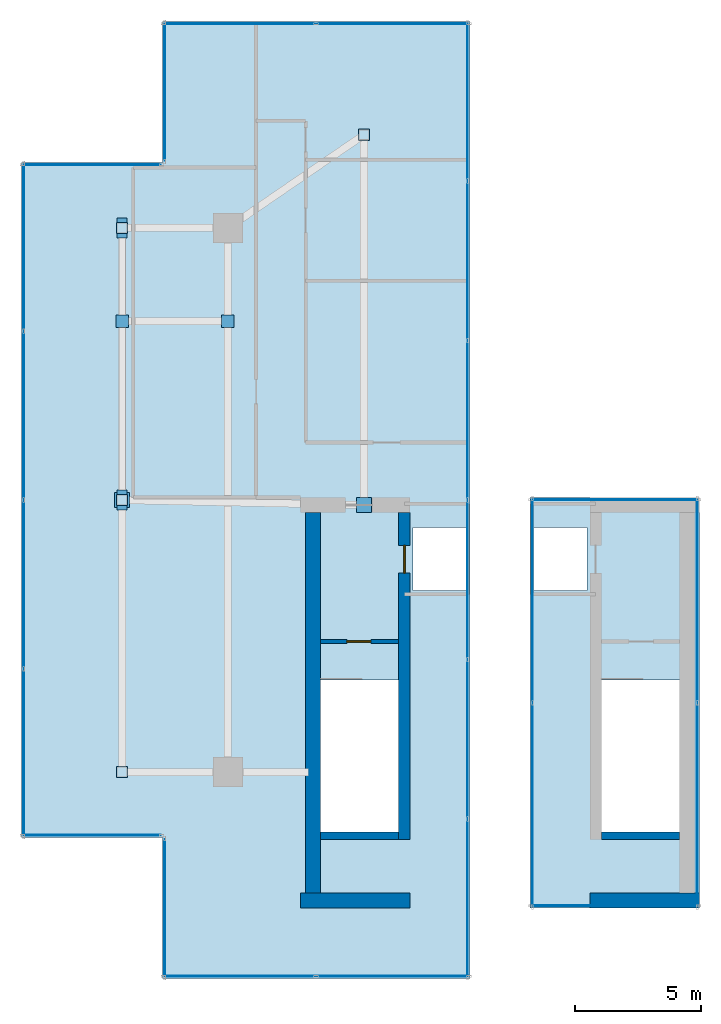
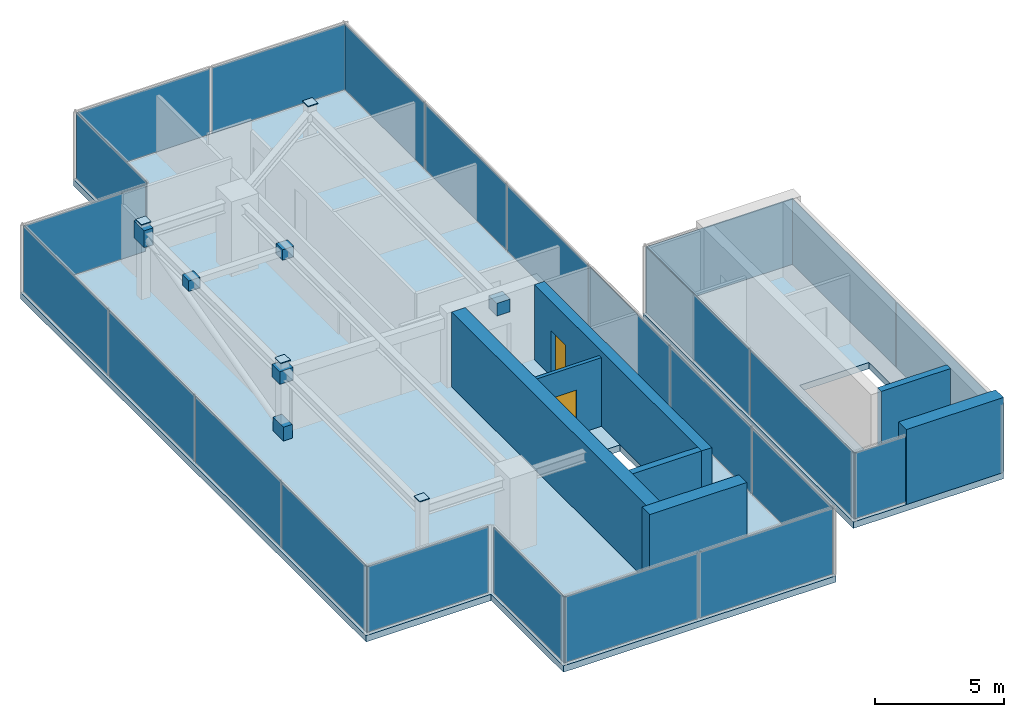
# One storey, part 14 of 16: 34 plates, 7 walls, 2 doors, 2 slabs, 2 openings, 12 elements without a shape of their own.
"""IFC4 building model written with IfcOpenShell, lengths in metres."""

import ifcopenshell
import ifcopenshell.guid

model = None  # the IFC model being written
_history = None  # IfcOwnerHistory: only IFC2X3 demands one
_inside = {}  # id of a spatial element -> (the spatial element, [elements in it])
_under = {}  # id of a project, library or spatial element -> (it, [spatial elements below it])
_declared = {}  # id of a project -> (the project, [libraries it declares])
_typed = {}  # id of a type object -> (the type object, [elements of that type])
_made_of = {}  # id of a material, layer set ... -> (it, [elements and type objects made of it])


def new_model(schema):
    """Start an empty IFC model of exactly this schema.

    Asked for "IFC4X3", IfcOpenShell would pick the latest addendum, in which some entities
    have other attributes; the version numbers below select the first issue.
    IFC2X3 requires an IfcOwnerHistory on every rooted entity: one is made here for all.
    """
    global model, _history
    if schema == "IFC4X3":
        model = ifcopenshell.file(schema_version=(4, 3, 0, 0))
    else:
        model = ifcopenshell.file(schema=schema)
    _inside.clear()
    _under.clear()
    _declared.clear()
    _typed.clear()
    _made_of.clear()
    _history = None
    if model.schema == "IFC2X3":
        org = make("IfcOrganization", Name="unknown")
        user = make(
            "IfcPersonAndOrganization",
            ThePerson=make("IfcPerson", FamilyName="unknown"),
            TheOrganization=org,
        )
        app = make(
            "IfcApplication",
            ApplicationDeveloper=org,
            Version="unknown",
            ApplicationFullName="unknown",
            ApplicationIdentifier="unknown",
        )
        _history = make(
            "IfcOwnerHistory",
            OwningUser=user,
            OwningApplication=app,
            ChangeAction="ADDED",
            CreationDate=0,
        )
    return model


def make(cls, **values):
    """One entity of the class cls with the attributes given. An attribute that is None is left unset."""
    return model.create_entity(
        cls, **{name: value for name, value in values.items() if value is not None}
    )


def rooted(cls, **values):
    """An entity with a GlobalId (a new one), such as an element, a storey or a relation."""
    return make(cls, GlobalId=ifcopenshell.guid.new(), OwnerHistory=_history, **values)


def si_unit(unit_type, name, prefix=None):
    """IfcSIUnit, for example si_unit("LENGTHUNIT", "METRE", prefix="MILLI")."""
    return make("IfcSIUnit", UnitType=unit_type, Prefix=prefix, Name=name)


def assignment(units):
    """IfcUnitAssignment: the units of a project."""
    return None if units is None else make("IfcUnitAssignment", Units=units)


def point(xyz):
    """IfcCartesianPoint."""
    return None if xyz is None else make("IfcCartesianPoint", Coordinates=xyz)


def direction(xyz):
    """IfcDirection."""
    return None if xyz is None else make("IfcDirection", DirectionRatios=xyz)


def frame(location, z_axis=None, x_axis=None):
    """IfcAxis2Placement3D, a coordinate frame: its origin and axes. An axis left out is left unset."""
    return make(
        "IfcAxis2Placement3D",
        Location=point(location),
        Axis=direction(z_axis),
        RefDirection=direction(x_axis),
    )


def frame_2d(location, x_axis=None):
    """IfcAxis2Placement2D, a coordinate frame in the plane: its origin and x axis."""
    return make(
        "IfcAxis2Placement2D", Location=point(location), RefDirection=direction(x_axis)
    )


def origin():
    """The frame at (0, 0, 0) with its axes left unset."""
    return frame((0.0, 0.0, 0.0))


def origin_2d():
    """The frame at (0, 0) in the plane with its x axis left unset."""
    return frame_2d((0.0, 0.0))


def place(relative_to, where):
    """IfcLocalPlacement: puts the frame where relative to a parent placement (None: the world)."""
    return make(
        "IfcLocalPlacement", PlacementRelTo=relative_to, RelativePlacement=where
    )


def context(
    kind, dimensions, precision=None, world=None, true_north=None, identifier=None
):
    """IfcGeometricRepresentationContext, for example the 3D "Model" context."""
    return make(
        "IfcGeometricRepresentationContext",
        ContextIdentifier=identifier,
        ContextType=kind,
        CoordinateSpaceDimension=dimensions,
        Precision=precision,
        WorldCoordinateSystem=world,
        TrueNorth=true_north,
    )


def subcontext(parent, identifier, kind, view, scale=None):
    """IfcGeometricRepresentationSubContext, for example "Body" below "Model"."""
    return make(
        "IfcGeometricRepresentationSubContext",
        ContextIdentifier=identifier,
        ContextType=kind,
        ParentContext=parent,
        TargetScale=scale,
        TargetView=view,
    )


def project(units=None, contexts=None):
    """IfcProject with its units and contexts."""
    return rooted(
        "IfcProject",
        Name="project",
        RepresentationContexts=contexts,
        UnitsInContext=assignment(units),
    )


def spatial(cls, under=None, at=None, **own):
    """A site, building, storey or space (cls), placed at a placement, below another one or the project."""
    s = rooted(cls, ObjectPlacement=at, **own)
    if under is not None:
        _under.setdefault(under.id(), (under, []))[1].append(s)
    return s


def polyline(points):
    """IfcPolyline through the points."""
    return make("IfcPolyline", Points=[point(p) for p in points])


def profile(cls, at=None, kind="AREA", **sizes):
    """A parametric profile (cls). Its sizes go by their IFC names, for example OverallWidth=200.0."""
    return make(cls, ProfileType=kind, Position=at, **sizes)


def rectangle(**sizes):
    """IfcRectangleProfileDef."""
    return profile("IfcRectangleProfileDef", **sizes)


def outline(outer, holes=None, kind="AREA"):
    """IfcArbitraryClosedProfileDef: a profile drawn as a closed curve; with holes, ...WithVoids."""
    if holes is None:
        return make("IfcArbitraryClosedProfileDef", ProfileType=kind, OuterCurve=outer)
    return make(
        "IfcArbitraryProfileDefWithVoids",
        ProfileType=kind,
        OuterCurve=outer,
        InnerCurves=holes,
    )


def extrude(swept, where, along, depth):
    """IfcExtrudedAreaSolid: the profile swept, set in the frame where, extruded along a direction by depth."""
    return make(
        "IfcExtrudedAreaSolid",
        SweptArea=swept,
        Position=where,
        ExtrudedDirection=direction(along),
        Depth=depth,
    )


def shape(context_of_items, identifier, shape_type, items):
    """IfcShapeRepresentation: the items that make up one representation, for example the "Body"."""
    return make(
        "IfcShapeRepresentation",
        ContextOfItems=context_of_items,
        RepresentationIdentifier=identifier,
        RepresentationType=shape_type,
        Items=items,
    )


def source(mapping_origin, context_of_items, identifier, shape_type, items):
    """IfcRepresentationMap: a shape defined once, which mapped items show again and again."""
    return make(
        "IfcRepresentationMap",
        MappingOrigin=mapping_origin,
        MappedRepresentation=shape(context_of_items, identifier, shape_type, items),
    )


def transform(
    local_origin,
    x_axis=None,
    y_axis=None,
    z_axis=None,
    scale=None,
    scale2=None,
    scale3=None,
    uniform=True,
):
    """IfcCartesianTransformationOperator3D, or its non-uniform kind. x_axis, y_axis, z_axis: its Axis1, 2, 3."""
    if uniform:
        return make(
            "IfcCartesianTransformationOperator3D",
            Axis1=direction(x_axis),
            Axis2=direction(y_axis),
            LocalOrigin=point(local_origin),
            Scale=scale,
            Axis3=direction(z_axis),
        )
    return make(
        "IfcCartesianTransformationOperator3DnonUniform",
        Axis1=direction(x_axis),
        Axis2=direction(y_axis),
        LocalOrigin=point(local_origin),
        Scale=scale,
        Axis3=direction(z_axis),
        Scale2=scale2,
        Scale3=scale3,
    )


def mapped(mapping_source, mapping_target):
    """IfcMappedItem: shows the shape of a source again, moved by a transform."""
    return make(
        "IfcMappedItem", MappingSource=mapping_source, MappingTarget=mapping_target
    )


def material(Name=None, Category=None):
    """IfcMaterial."""
    return make("IfcMaterial", Name=Name, Category=Category)


def layer(
    of_material, thickness, ventilated=None, Name=None, Category=None, Priority=None
):
    """IfcMaterialLayer: one layer of a wall or slab, of a material (None: an air gap)."""
    return make(
        "IfcMaterialLayer",
        Material=of_material,
        LayerThickness=thickness,
        IsVentilated=ventilated,
        Name=Name,
        Category=Category,
        Priority=Priority,
    )


def layer_set(layers, Name=None):
    """IfcMaterialLayerSet."""
    return make("IfcMaterialLayerSet", MaterialLayers=layers, LayerSetName=Name)


def made_of(thing, what):
    """Note that an element or type object is made of a material, layer set ...; save() writes the relation."""
    if what is not None:
        _made_of.setdefault(what.id(), (what, []))[1].append(thing)
    return thing


def type_object(cls, material=None, **own):
    """A type object (cls), such as IfcWallType, which elements share."""
    return made_of(rooted(cls, **own), material)


def type_shapes(of_type, sources):
    """Give a type object the sources (RepresentationMaps) that its elements show as mapped items."""
    of_type.RepresentationMaps = sources


def element(
    cls,
    number,
    at=None,
    inside=None,
    cuts=None,
    type_object=None,
    material=None,
    context=None,
    identifier="Body",
    shape_type=None,
    held_by="IfcProductDefinitionShape",
    body=None,
    shapes=None,
    **own,
):
    """One element of the class cls, such as IfcWall. Its Tag is "e" and its number.

    at: its placement. inside: the storey or other place that contains it. cuts: it is an
    opening in that element (IfcRelVoidsElement). A single representation is given by context,
    identifier, shape_type and body (its items); several are given by shapes. held_by: the class
    of the entity that holds the representations. save() writes the other relations.
    """
    e = rooted(cls, Tag="e%d" % number, ObjectPlacement=at, **own)
    if body is not None:
        shapes = [shape(context, identifier, shape_type, body)]
    if shapes is not None:
        e.Representation = make(held_by, Representations=shapes)
    if inside is not None:
        _inside.setdefault(inside.id(), (inside, []))[1].append(e)
    if cuts is not None:
        rooted(
            "IfcRelVoidsElement", RelatingBuildingElement=cuts, RelatedOpeningElement=e
        )
    if type_object is not None:
        _typed.setdefault(type_object.id(), (type_object, []))[1].append(e)
    return made_of(e, material)


def fill(opening, filler):
    """IfcRelFillsElement: the door or window that sits in an opening."""
    return rooted(
        "IfcRelFillsElement",
        RelatingOpeningElement=opening,
        RelatedBuildingElement=filler,
    )


def aggregate(whole, parts):
    """IfcRelAggregates: a whole, such as a stair, and the parts it consists of."""
    return rooted("IfcRelAggregates", RelatingObject=whole, RelatedObjects=parts)


def save(model, path):
    """Write the relations noted so far, then the file.

    IfcRelAggregates (storeys below a building ...), IfcRelContainedInSpatialStructure (elements
    in a storey), IfcRelDefinesByType, IfcRelAssociatesMaterial and IfcRelDeclares: one each for
    every whole, place, type object, material and project.
    """
    for whole, parts in _under.values():
        aggregate(whole, parts)
    for where, things in _inside.values():
        rooted(
            "IfcRelContainedInSpatialStructure",
            RelatedElements=things,
            RelatingStructure=where,
        )
    for kind, things in _typed.values():
        rooted("IfcRelDefinesByType", RelatedObjects=things, RelatingType=kind)
    for what, things in _made_of.values():
        rooted("IfcRelAssociatesMaterial", RelatedObjects=things, RelatingMaterial=what)
    for by, libraries in _declared.values():
        rooted("IfcRelDeclares", RelatingContext=by, RelatedDefinitions=libraries)
    model.write(path)


model = new_model("IFC4")

# Units and contexts
model_context = context("Model", 3, precision=1e-05, world=origin(), true_north=direction((0.0, 1.0)))
body_context = subcontext(model_context, "Body", "Model", "MODEL_VIEW")
ifc_project = project(units=[si_unit("LENGTHUNIT", "METRE"), si_unit("AREAUNIT", "SQUARE_METRE"), si_unit("VOLUMEUNIT", "CUBIC_METRE"), si_unit("PLANEANGLEUNIT", "RADIAN"), si_unit("MASSUNIT", "GRAM", prefix="KILO")], contexts=[model_context])

# Site, building, storey
site_placement = place(None, origin())
site = spatial("IfcSite", under=ifc_project, at=site_placement, CompositionType="ELEMENT")
building_placement = place(site_placement, origin())
building = spatial("IfcBuilding", under=site, at=building_placement, Name="Krantzveldt Concourse Tower", CompositionType="ELEMENT")
storey_placement = place(building_placement, frame((0.0, 0.0, 385.449951171875)))
storey = spatial("IfcBuildingStorey", under=building, at=storey_placement, Name="L95", CompositionType="ELEMENT", Elevation=385.449951171875)

# Plates
ifc_material_1 = material(Name="Steel S355J2", Category="steel")
ifc_layer_1 = layer(ifc_material_1, 0.0400390625, Name="Steel S355J2", Category="steel")
ifc_layer_set_1 = layer_set([ifc_layer_1], Name="Steel S355J2 (PL-COLCAP-40)")
plate_type_1 = type_object("IfcPlateType", Name="PL-COLCAP-40", PredefinedType="USERDEFINED", material=ifc_layer_set_1)
plate_1_placement = place(storey_placement, frame((0.0, 0.0, 3.545166015625)))
element("IfcPlate", 1, at=plate_1_placement, inside=storey, type_object=plate_type_1, Name="L95 Column Top Cap Plate W1", ObjectType="END PLATE", PredefinedType="USERDEFINED", context=body_context, shape_type="SweptSolid", body=[
    extrude(outline(polyline([(20.780029296875, 15.679931640625), (21.219970703125, 15.679931640625), (21.219970703125, 16.1201171875), (20.780029296875, 16.1201171875), (20.780029296875, 15.679931640625)])), origin(), (0.0, 0.0, 1.0), 0.039794921875),
])
plate_2_placement = place(storey_placement, frame((0.0, 0.0, 3.545166015625)))
element("IfcPlate", 2, at=plate_2_placement, inside=storey, type_object=plate_type_1, Name="L95 Column Top Cap Plate W2", ObjectType="END PLATE", PredefinedType="USERDEFINED", context=body_context, shape_type="SweptSolid", body=[
    extrude(outline(polyline([(20.780029296875, 26.47998046875), (21.219970703125, 26.47998046875), (21.219970703125, 26.919921875), (20.780029296875, 26.919921875), (20.780029296875, 26.47998046875)])), origin(), (0.0, 0.0, 1.0), 0.039794921875),
])
plate_3_placement = place(storey_placement, frame((0.0, 0.0, 3.545166015625)))
element("IfcPlate", 3, at=plate_3_placement, inside=storey, type_object=plate_type_1, Name="L95 Column Top Cap Plate W3", ObjectType="END PLATE", PredefinedType="USERDEFINED", context=body_context, shape_type="SweptSolid", body=[
    extrude(outline(polyline([(20.780029296875, 37.280029296875), (21.219970703125, 37.280029296875), (21.219970703125, 37.719970703125), (20.780029296875, 37.719970703125), (20.780029296875, 37.280029296875)])), origin(), (0.0, 0.0, 1.0), 0.039794921875),
])
plate_4_placement = place(storey_placement, frame((0.0, 0.0, 3.545166015625)))
element("IfcPlate", 4, at=plate_4_placement, inside=storey, type_object=plate_type_1, Name="L95 Column Top Cap Plate W4", ObjectType="END PLATE", PredefinedType="USERDEFINED", context=body_context, shape_type="SweptSolid", body=[
    extrude(outline(polyline([(30.3798828125, 40.97998046875), (30.820068359375, 40.97998046875), (30.820068359375, 41.419921875), (30.3798828125, 41.419921875), (30.3798828125, 40.97998046875)])), origin(), (0.0, 0.0, 1.0), 0.039794921875),
])

# Slabs
ifc_material_2 = material(Name="Concrete C40/50", Category="concrete")
ifc_layer_2 = layer(ifc_material_2, 0.300048828125, Name="Concrete C40/50", Category="concrete")
ifc_layer_set_2 = layer_set([ifc_layer_2], Name="Concrete C40/50 (SL-SL-CRN300)")
slab_type = type_object("IfcSlabType", Name="SL-SL-CRN300", PredefinedType="FLOOR", material=ifc_layer_set_2)
slab_1_placement = place(storey_placement, frame((0.0, 0.0, -0.300048828125)))
element("IfcSlab", 5, at=slab_1_placement, inside=storey, type_object=slab_type, Name="SL-L95-WEST", PredefinedType="FLOOR", context=body_context, shape_type="SweptSolid", body=[
    extrude(outline(polyline([(22.60009765625, 7.699951171875), (34.800048828125, 7.699951171875), (34.800048828125, 45.699951171875), (22.60009765625, 45.699951171875), (22.60009765625, 40.10009765625), (17.0, 40.10009765625), (17.0, 13.300048828125), (22.60009765625, 13.300048828125), (22.60009765625, 7.699951171875)]), holes=[polyline([(28.8798828125, 19.547607421875), (28.8798828125, 13.52001953125), (31.97998046875, 13.52001953125), (31.97998046875, 19.547607421875), (28.8798828125, 19.547607421875)]), polyline([(32.550048828125, 23.10009765625), (34.64990234375, 23.10009765625), (34.64990234375, 25.60009765625), (32.550048828125, 25.60009765625), (32.550048828125, 23.10009765625)])]), origin(), (0.0, 0.0, 1.0), 0.300048828125),
])
slab_2_placement = place(storey_placement, frame((0.0, 0.0, -0.300048828125)))
element("IfcSlab", 6, at=slab_2_placement, inside=storey, type_object=slab_type, Name="SL-L95-EAST", PredefinedType="FLOOR", context=body_context, shape_type="SweptSolid", body=[
    extrude(outline(polyline([(37.199951171875, 10.5), (43.919921875, 10.5), (43.919921875, 26.800048828125), (37.199951171875, 26.800048828125), (37.199951171875, 10.5)]), holes=[polyline([(40.02001953125, 19.547607421875), (40.02001953125, 13.52001953125), (43.1201171875, 13.52001953125), (43.1201171875, 19.547607421875), (40.02001953125, 19.547607421875)]), polyline([(37.35009765625, 23.10009765625), (39.449951171875, 23.10009765625), (39.449951171875, 25.60009765625), (37.35009765625, 25.60009765625), (37.35009765625, 23.10009765625)])]), origin(), (0.0, 0.0, 1.0), 0.300048828125),
])

# Plates
ifc_layer_3 = layer(ifc_material_1, 0.0400390625, Name="Steel S355J2", Category="steel")
ifc_layer_set_3 = layer_set([ifc_layer_3], Name="Steel S355J2 (PL-GUSSET-40)")
plate_type_2 = type_object("IfcPlateType", Name="PL-GUSSET-40", PredefinedType="USERDEFINED", material=ifc_layer_set_3)
shared_shape_1 = source(origin(), body_context, "Body", "SweptSolid", [
    extrude(rectangle(XDim=0.39990234375, YDim=0.800048828125, at=origin_2d()), origin(), (0.0, 0.0, 1.0), 0.800048828125),
])
type_shapes(plate_type_2, [shared_shape_1])
for number, where, z_axis, x_axis, name in (
    (7, (21.0, 26.699951171875, -0.14990234375), (0.0, 0.0, 1.0), (1.0, 0.0, 0.0), "CBR-L95-WEST-GP1"),
    (8, (21.0, 37.5, 2.60009765625), (0.0, 0.0, 1.0), (1.0, 0.0, 0.0), "CBR-L95-WEST-GP2"),
):
    element("IfcPlate", number, at=place(storey_placement, frame(where, z_axis=z_axis, x_axis=x_axis)), inside=storey, type_object=plate_type_2, Name=name, ObjectType="GUSSET PLATE", PredefinedType="USERDEFINED", context=body_context, shape_type="MappedRepresentation", body=[
        mapped(shared_shape_1, transform((0.0, 0.0, 0.0), x_axis=(1.0, 0.0, 0.0), y_axis=(0.0, 1.0, 0.0), z_axis=(0.0, 0.0, 1.0), scale=1.0)),
    ])
ifc_layer_4 = layer(ifc_material_1, 0.034912109375, Name="Steel S355J2", Category="steel")
ifc_layer_set_4 = layer_set([ifc_layer_4], Name="Steel S355J2 (PL-ENDCAP-35)")
plate_type_3 = type_object("IfcPlateType", Name="PL-ENDCAP-35", PredefinedType="SHEET", material=ifc_layer_set_4)
shared_shape_2 = source(origin(), body_context, "Body", "SweptSolid", [
    extrude(rectangle(XDim=0.60009765625, YDim=0.60009765625, at=origin_2d()), origin(), (0.0, 0.0, 1.0), 0.60009765625),
])
for number, where, z_axis, x_axis, name in (
    (9, (21.0, 26.699951171875, 2.64990234375), (0.0, 0.0, 1.0), (1.0, 0.0, 0.0), "CRF-L95-WEST-EC1"),
    (10, (30.60009765625, 26.5, 2.64990234375), (0.0, 0.0, 1.0), (1.0, 0.0, 0.0), "CRF-L95-WEST-EC2"),
):
    element("IfcPlate", number, at=place(storey_placement, frame(where, z_axis=z_axis, x_axis=x_axis)), inside=storey, type_object=plate_type_3, Name=name, PredefinedType="SHEET", context=body_context, shape_type="MappedRepresentation", body=[
        mapped(shared_shape_2, transform((0.0, 0.0, 0.0), x_axis=(1.0, 0.0, 0.0), y_axis=(0.0, 1.0, 0.0), z_axis=(0.0, 0.0, 1.0), scale=1.0)),
    ])
shared_shape_3 = source(origin(), body_context, "Body", "SweptSolid", [
    extrude(rectangle(XDim=0.5, YDim=0.5, at=origin_2d()), origin(), (0.0, 0.0, 1.0), 0.5),
])
type_shapes(plate_type_3, [shared_shape_2, shared_shape_3])
for number, where, z_axis, x_axis, name in (
    (11, (21.0, 33.800048828125, 2.699951171875), (0.0, 0.0, 1.0), (1.0, 0.0, 0.0), "CPR-L95-WEST-EC1"),
    (12, (25.199951171875, 33.800048828125, 2.699951171875), (0.0, 0.0, 1.0), (1.0, 0.0, 0.0), "CPR-L95-WEST-EC2"),
):
    element("IfcPlate", number, at=place(storey_placement, frame(where, z_axis=z_axis, x_axis=x_axis)), inside=storey, type_object=plate_type_3, Name=name, PredefinedType="SHEET", context=body_context, shape_type="MappedRepresentation", body=[
        mapped(shared_shape_3, transform((0.0, 0.0, 0.0), x_axis=(1.0, 0.0, 0.0), y_axis=(0.0, 1.0, 0.0), z_axis=(0.0, 0.0, 1.0), scale=1.0)),
    ])

# Curtain wall, plates
ifc_material_3 = material(Name="Anodised aluminium 6063-T6", Category="aluminium")
curtain_wall_type = type_object("IfcCurtainWallType", Name="CW7", PredefinedType="USERDEFINED", material=ifc_material_3)
curtain_wall_1_placement = place(storey_placement, origin())
curtain_wall_1 = element("IfcCurtainWall", 13, at=curtain_wall_1_placement, inside=storey, type_object=curtain_wall_type, Name="CW-L95-WEST-00", ObjectType="UNITISED CURTAIN WALL", PredefinedType="USERDEFINED")
ifc_material_4 = material(Name="Bronze-tinted laminated low-E IGU glass", Category="glass")
ifc_layer_5 = layer(ifc_material_4, 0.031982421875, Name="Bronze-tinted laminated low-E IGU glass", Category="glass")
ifc_layer_set_5 = layer_set([ifc_layer_5], Name="Bronze-tinted laminated low-E IGU glass (CW-GLZ-32)")
plate_type_4 = type_object("IfcPlateType", Name="CW-GLZ-32", PredefinedType="CURTAIN_PANEL", material=ifc_layer_set_5)
shared_shape_4 = source(origin(), body_context, "Body", "SweptSolid", [
    extrude(rectangle(XDim=5.9951171875, YDim=0.031982421875, at=origin_2d()), origin(), (0.0, 0.0, 1.0), 3.110107421875),
])
plate_5_placement = place(storey_placement, frame((25.66748046875, 7.7900390625, 0.06982421875), z_axis=(0.0, 0.0, 1.0), x_axis=(1.0, 0.0, 0.0)))
plate_5 = element("IfcPlate", 14, at=plate_5_placement, type_object=plate_type_4, Name="CW-CRN panel 1.1", PredefinedType="CURTAIN_PANEL", context=body_context, shape_type="MappedRepresentation", body=[
    mapped(shared_shape_4, transform((0.0, 0.0, 0.0), x_axis=(1.0, 0.0, 0.0), y_axis=(0.0, 1.0, 0.0), z_axis=(0.0, 0.0, 1.0), scale=1.0)),
])
plate_6_placement = place(storey_placement, frame((31.732421875, 7.7900390625, 0.06982421875), z_axis=(0.0, 0.0, 1.0), x_axis=(1.0, 0.0, 0.0)))
plate_6 = element("IfcPlate", 15, at=plate_6_placement, type_object=plate_type_4, Name="CW-CRN panel 2.1", PredefinedType="CURTAIN_PANEL", context=body_context, shape_type="MappedRepresentation", body=[
    mapped(shared_shape_4, transform((0.0, 0.0, 0.0), x_axis=(1.0, 0.0, 0.0), y_axis=(0.0, 1.0, 0.0), z_axis=(0.0, 0.0, 1.0), scale=1.0)),
])
aggregate(curtain_wall_1, [plate_5, plate_6])

curtain_wall_2_placement = place(storey_placement, origin())
curtain_wall_2 = element("IfcCurtainWall", 16, at=curtain_wall_2_placement, inside=storey, type_object=curtain_wall_type, Name="CW-L95-WEST-02", ObjectType="UNITISED CURTAIN WALL", PredefinedType="USERDEFINED")
plate_7_placement = place(storey_placement, frame((31.732421875, 45.610107421875, 0.06982421875), z_axis=(0.0, 0.0, 1.0), x_axis=(-1.0, 0.0, 0.0)))
plate_7 = element("IfcPlate", 17, at=plate_7_placement, type_object=plate_type_4, Name="CW-CRN panel 1.1", PredefinedType="CURTAIN_PANEL", context=body_context, shape_type="MappedRepresentation", body=[
    mapped(shared_shape_4, transform((0.0, 0.0, 0.0), x_axis=(1.0, 0.0, 0.0), y_axis=(0.0, 1.0, 0.0), z_axis=(0.0, 0.0, 1.0), scale=1.0)),
])
plate_8_placement = place(storey_placement, frame((25.66748046875, 45.610107421875, 0.06982421875), z_axis=(0.0, 0.0, 1.0), x_axis=(-1.0, 0.0, 0.0)))
plate_8 = element("IfcPlate", 18, at=plate_8_placement, type_object=plate_type_4, Name="CW-CRN panel 2.1", PredefinedType="CURTAIN_PANEL", context=body_context, shape_type="MappedRepresentation", body=[
    mapped(shared_shape_4, transform((0.0, 0.0, 0.0), x_axis=(1.0, 0.0, 0.0), y_axis=(0.0, 1.0, 0.0), z_axis=(0.0, 0.0, 1.0), scale=1.0)),
])
aggregate(curtain_wall_2, [plate_7, plate_8])

curtain_wall_3_placement = place(storey_placement, origin())
curtain_wall_3 = element("IfcCurtainWall", 19, at=curtain_wall_3_placement, inside=storey, type_object=curtain_wall_type, Name="CW-L95-WEST-01", ObjectType="UNITISED CURTAIN WALL", PredefinedType="USERDEFINED")
shared_shape_5 = source(origin(), body_context, "Body", "SweptSolid", [
    extrude(rectangle(XDim=6.228271484375, YDim=0.031982421875, at=origin_2d()), origin(), (0.0, 0.0, 1.0), 3.110107421875),
])
plate_9_placement = place(storey_placement, frame((34.7099609375, 10.88427734375, 0.06982421875), z_axis=(0.0, 0.0, 1.0), x_axis=(0.0, 1.0, 0.0)))
plate_9 = element("IfcPlate", 20, at=plate_9_placement, type_object=plate_type_4, Name="CW-CRN panel 1.1", PredefinedType="CURTAIN_PANEL", context=body_context, shape_type="MappedRepresentation", body=[
    mapped(shared_shape_5, transform((0.0, 0.0, 0.0), x_axis=(1.0, 0.0, 0.0), y_axis=(0.0, 1.0, 0.0), z_axis=(0.0, 0.0, 1.0), scale=1.0)),
])
plate_10_placement = place(storey_placement, frame((34.7099609375, 42.515869140625, 0.06982421875), z_axis=(0.0, 0.0, 1.0), x_axis=(0.0, 1.0, 0.0)))
plate_10 = element("IfcPlate", 21, at=plate_10_placement, type_object=plate_type_4, Name="CW-CRN panel 6.1", PredefinedType="CURTAIN_PANEL", context=body_context, shape_type="MappedRepresentation", body=[
    mapped(shared_shape_5, transform((0.0, 0.0, 0.0), x_axis=(1.0, 0.0, 0.0), y_axis=(0.0, 1.0, 0.0), z_axis=(0.0, 0.0, 1.0), scale=1.0)),
])
shared_shape_6 = source(origin(), body_context, "Body", "SweptSolid", [
    extrude(rectangle(XDim=6.263427734375, YDim=0.031982421875, at=origin_2d()), origin(), (0.0, 0.0, 1.0), 3.110107421875),
])
plate_11_placement = place(storey_placement, frame((34.7099609375, 17.199951171875, 0.06982421875), z_axis=(0.0, 0.0, 1.0), x_axis=(0.0, 1.0, 0.0)))
plate_11 = element("IfcPlate", 22, at=plate_11_placement, type_object=plate_type_4, Name="CW-CRN panel 2.1", PredefinedType="CURTAIN_PANEL", context=body_context, shape_type="MappedRepresentation", body=[
    mapped(shared_shape_6, transform((0.0, 0.0, 0.0), x_axis=(1.0, 0.0, 0.0), y_axis=(0.0, 1.0, 0.0), z_axis=(0.0, 0.0, 1.0), scale=1.0)),
])
plate_12_placement = place(storey_placement, frame((34.7099609375, 23.533447265625, 0.06982421875), z_axis=(0.0, 0.0, 1.0), x_axis=(0.0, 1.0, 0.0)))
plate_12 = element("IfcPlate", 23, at=plate_12_placement, type_object=plate_type_4, Name="CW-CRN panel 3.1", PredefinedType="CURTAIN_PANEL", context=body_context, shape_type="MappedRepresentation", body=[
    mapped(shared_shape_6, transform((0.0, 0.0, 0.0), x_axis=(1.0, 0.0, 0.0), y_axis=(0.0, 1.0, 0.0), z_axis=(0.0, 0.0, 1.0), scale=1.0)),
])
plate_13_placement = place(storey_placement, frame((34.7099609375, 29.86669921875, 0.06982421875), z_axis=(0.0, 0.0, 1.0), x_axis=(0.0, 1.0, 0.0)))
plate_13 = element("IfcPlate", 24, at=plate_13_placement, type_object=plate_type_4, Name="CW-CRN panel 4.1", PredefinedType="CURTAIN_PANEL", context=body_context, shape_type="MappedRepresentation", body=[
    mapped(shared_shape_6, transform((0.0, 0.0, 0.0), x_axis=(1.0, 0.0, 0.0), y_axis=(0.0, 1.0, 0.0), z_axis=(0.0, 0.0, 1.0), scale=1.0)),
])
plate_14_placement = place(storey_placement, frame((34.7099609375, 36.199951171875, 0.06982421875), z_axis=(0.0, 0.0, 1.0), x_axis=(0.0, 1.0, 0.0)))
plate_14 = element("IfcPlate", 25, at=plate_14_placement, type_object=plate_type_4, Name="CW-CRN panel 5.1", PredefinedType="CURTAIN_PANEL", context=body_context, shape_type="MappedRepresentation", body=[
    mapped(shared_shape_6, transform((0.0, 0.0, 0.0), x_axis=(1.0, 0.0, 0.0), y_axis=(0.0, 1.0, 0.0), z_axis=(0.0, 0.0, 1.0), scale=1.0)),
])
aggregate(curtain_wall_3, [plate_9, plate_11, plate_12, plate_13, plate_14, plate_10])

# Curtain wall, plate
curtain_wall_4_placement = place(storey_placement, origin())
curtain_wall_4 = element("IfcCurtainWall", 26, at=curtain_wall_4_placement, inside=storey, type_object=curtain_wall_type, Name="CW-L95-WEST-03", ObjectType="UNITISED CURTAIN WALL", PredefinedType="USERDEFINED")
shared_shape_7 = source(origin(), body_context, "Body", "SweptSolid", [
    extrude(rectangle(XDim=5.4599609375, YDim=0.031982421875, at=origin_2d()), origin(), (0.0, 0.0, 1.0), 3.110107421875),
])
plate_15_placement = place(storey_placement, frame((22.68994140625, 42.89990234375, 0.06982421875), z_axis=(0.0, 0.0, 1.0), x_axis=(0.0, -1.0, 0.0)))
plate_15 = element("IfcPlate", 27, at=plate_15_placement, type_object=plate_type_4, Name="CW-CRN panel 1.1", PredefinedType="CURTAIN_PANEL", context=body_context, shape_type="MappedRepresentation", body=[
    mapped(shared_shape_7, transform((0.0, 0.0, 0.0), x_axis=(1.0, 0.0, 0.0), y_axis=(0.0, 1.0, 0.0), z_axis=(0.0, 0.0, 1.0), scale=1.0)),
])
aggregate(curtain_wall_4, [plate_15])

curtain_wall_5_placement = place(storey_placement, origin())
curtain_wall_5 = element("IfcCurtainWall", 28, at=curtain_wall_5_placement, inside=storey, type_object=curtain_wall_type, Name="CW-L95-WEST-04", ObjectType="UNITISED CURTAIN WALL", PredefinedType="USERDEFINED")
plate_16_placement = place(storey_placement, frame((19.800048828125, 40.010009765625, 0.06982421875), z_axis=(0.0, 0.0, 1.0), x_axis=(-1.0, 0.0, 0.0)))
plate_16 = element("IfcPlate", 29, at=plate_16_placement, type_object=plate_type_4, Name="CW-CRN panel 1.1", PredefinedType="CURTAIN_PANEL", context=body_context, shape_type="MappedRepresentation", body=[
    mapped(shared_shape_7, transform((0.0, 0.0, 0.0), x_axis=(1.0, 0.0, 0.0), y_axis=(0.0, 1.0, 0.0), z_axis=(0.0, 0.0, 1.0), scale=1.0)),
])
aggregate(curtain_wall_5, [plate_16])

curtain_wall_6_placement = place(storey_placement, origin())
curtain_wall_6 = element("IfcCurtainWall", 30, at=curtain_wall_6_placement, inside=storey, type_object=curtain_wall_type, Name="CW-L95-WEST-06", ObjectType="UNITISED CURTAIN WALL", PredefinedType="USERDEFINED")
plate_17_placement = place(storey_placement, frame((19.800048828125, 13.389892578125, 0.06982421875), z_axis=(0.0, 0.0, 1.0), x_axis=(1.0, 0.0, 0.0)))
plate_17 = element("IfcPlate", 31, at=plate_17_placement, type_object=plate_type_4, Name="CW-CRN panel 1.1", PredefinedType="CURTAIN_PANEL", context=body_context, shape_type="MappedRepresentation", body=[
    mapped(shared_shape_7, transform((0.0, 0.0, 0.0), x_axis=(1.0, 0.0, 0.0), y_axis=(0.0, 1.0, 0.0), z_axis=(0.0, 0.0, 1.0), scale=1.0)),
])
aggregate(curtain_wall_6, [plate_17])

curtain_wall_7_placement = place(storey_placement, origin())
curtain_wall_7 = element("IfcCurtainWall", 32, at=curtain_wall_7_placement, inside=storey, type_object=curtain_wall_type, Name="CW-L95-WEST-07", ObjectType="UNITISED CURTAIN WALL", PredefinedType="USERDEFINED")
plate_18_placement = place(storey_placement, frame((22.68994140625, 10.5, 0.06982421875), z_axis=(0.0, 0.0, 1.0), x_axis=(0.0, -1.0, 0.0)))
plate_18 = element("IfcPlate", 33, at=plate_18_placement, type_object=plate_type_4, Name="CW-CRN panel 1.1", PredefinedType="CURTAIN_PANEL", context=body_context, shape_type="MappedRepresentation", body=[
    mapped(shared_shape_7, transform((0.0, 0.0, 0.0), x_axis=(1.0, 0.0, 0.0), y_axis=(0.0, 1.0, 0.0), z_axis=(0.0, 0.0, 1.0), scale=1.0)),
])
aggregate(curtain_wall_7, [plate_18])

# Curtain wall, plates
curtain_wall_8_placement = place(storey_placement, origin())
curtain_wall_8 = element("IfcCurtainWall", 34, at=curtain_wall_8_placement, inside=storey, type_object=curtain_wall_type, Name="CW-L95-WEST-05", ObjectType="UNITISED CURTAIN WALL", PredefinedType="USERDEFINED")
shared_shape_8 = source(origin(), body_context, "Body", "SweptSolid", [
    extrude(rectangle(XDim=6.594970703125, YDim=0.031982421875, at=origin_2d()), origin(), (0.0, 0.0, 1.0), 3.110107421875),
])
plate_19_placement = place(storey_placement, frame((17.090087890625, 36.732421875, 0.06982421875), z_axis=(0.0, 0.0, 1.0), x_axis=(0.0, -1.0, 0.0)))
plate_19 = element("IfcPlate", 35, at=plate_19_placement, type_object=plate_type_4, Name="CW-CRN panel 1.1", PredefinedType="CURTAIN_PANEL", context=body_context, shape_type="MappedRepresentation", body=[
    mapped(shared_shape_8, transform((0.0, 0.0, 0.0), x_axis=(1.0, 0.0, 0.0), y_axis=(0.0, 1.0, 0.0), z_axis=(0.0, 0.0, 1.0), scale=1.0)),
])
plate_20_placement = place(storey_placement, frame((17.090087890625, 16.66748046875, 0.06982421875), z_axis=(0.0, 0.0, 1.0), x_axis=(0.0, -1.0, 0.0)))
plate_20 = element("IfcPlate", 36, at=plate_20_placement, type_object=plate_type_4, Name="CW-CRN panel 4.1", PredefinedType="CURTAIN_PANEL", context=body_context, shape_type="MappedRepresentation", body=[
    mapped(shared_shape_8, transform((0.0, 0.0, 0.0), x_axis=(1.0, 0.0, 0.0), y_axis=(0.0, 1.0, 0.0), z_axis=(0.0, 0.0, 1.0), scale=1.0)),
])
shared_shape_9 = source(origin(), body_context, "Body", "SweptSolid", [
    extrude(rectangle(XDim=6.6298828125, YDim=0.031982421875, at=origin_2d()), origin(), (0.0, 0.0, 1.0), 3.110107421875),
])
plate_21_placement = place(storey_placement, frame((17.090087890625, 30.050048828125, 0.06982421875), z_axis=(0.0, 0.0, 1.0), x_axis=(0.0, -1.0, 0.0)))
plate_21 = element("IfcPlate", 37, at=plate_21_placement, type_object=plate_type_4, Name="CW-CRN panel 2.1", PredefinedType="CURTAIN_PANEL", context=body_context, shape_type="MappedRepresentation", body=[
    mapped(shared_shape_9, transform((0.0, 0.0, 0.0), x_axis=(1.0, 0.0, 0.0), y_axis=(0.0, 1.0, 0.0), z_axis=(0.0, 0.0, 1.0), scale=1.0)),
])
plate_22_placement = place(storey_placement, frame((17.090087890625, 23.35009765625, 0.06982421875), z_axis=(0.0, 0.0, 1.0), x_axis=(0.0, -1.0, 0.0)))
plate_22 = element("IfcPlate", 38, at=plate_22_placement, type_object=plate_type_4, Name="CW-CRN panel 3.1", PredefinedType="CURTAIN_PANEL", context=body_context, shape_type="MappedRepresentation", body=[
    mapped(shared_shape_9, transform((0.0, 0.0, 0.0), x_axis=(1.0, 0.0, 0.0), y_axis=(0.0, 1.0, 0.0), z_axis=(0.0, 0.0, 1.0), scale=1.0)),
])
aggregate(curtain_wall_8, [plate_19, plate_21, plate_22, plate_20])

# Curtain wall, plate
curtain_wall_9_placement = place(storey_placement, origin())
curtain_wall_9 = element("IfcCurtainWall", 39, at=curtain_wall_9_placement, inside=storey, type_object=curtain_wall_type, Name="CW-L95-EAST-00", ObjectType="UNITISED CURTAIN WALL", PredefinedType="USERDEFINED")
shared_shape_10 = source(origin(), body_context, "Body", "SweptSolid", [
    extrude(rectangle(XDim=6.580078125, YDim=0.031982421875, at=origin_2d()), origin(), (0.0, 0.0, 1.0), 3.110107421875),
])
plate_23_placement = place(storey_placement, frame((40.56005859375, 10.590087890625, 0.06982421875), z_axis=(0.0, 0.0, 1.0), x_axis=(1.0, 0.0, 0.0)))
plate_23 = element("IfcPlate", 40, at=plate_23_placement, type_object=plate_type_4, Name="CW-CRN panel 1.1", PredefinedType="CURTAIN_PANEL", context=body_context, shape_type="MappedRepresentation", body=[
    mapped(shared_shape_10, transform((0.0, 0.0, 0.0), x_axis=(1.0, 0.0, 0.0), y_axis=(0.0, 1.0, 0.0), z_axis=(0.0, 0.0, 1.0), scale=1.0)),
])
aggregate(curtain_wall_9, [plate_23])

curtain_wall_10_placement = place(storey_placement, origin())
curtain_wall_10 = element("IfcCurtainWall", 41, at=curtain_wall_10_placement, inside=storey, type_object=curtain_wall_type, Name="CW-L95-EAST-02", ObjectType="UNITISED CURTAIN WALL", PredefinedType="USERDEFINED")
plate_24_placement = place(storey_placement, frame((40.56005859375, 26.7099609375, 0.06982421875), z_axis=(0.0, 0.0, 1.0), x_axis=(-1.0, 0.0, 0.0)))
plate_24 = element("IfcPlate", 42, at=plate_24_placement, type_object=plate_type_4, Name="CW-CRN panel 1.1", PredefinedType="CURTAIN_PANEL", context=body_context, shape_type="MappedRepresentation", body=[
    mapped(shared_shape_10, transform((0.0, 0.0, 0.0), x_axis=(1.0, 0.0, 0.0), y_axis=(0.0, 1.0, 0.0), z_axis=(0.0, 0.0, 1.0), scale=1.0)),
])
aggregate(curtain_wall_10, [plate_24])

# Curtain wall, plates
curtain_wall_11_placement = place(storey_placement, origin())
curtain_wall_11 = element("IfcCurtainWall", 43, at=curtain_wall_11_placement, inside=storey, type_object=curtain_wall_type, Name="CW-L95-EAST-01", ObjectType="UNITISED CURTAIN WALL", PredefinedType="USERDEFINED")
shared_shape_11 = source(origin(), body_context, "Body", "SweptSolid", [
    extrude(rectangle(XDim=8.044921875, YDim=0.031982421875, at=origin_2d()), origin(), (0.0, 0.0, 1.0), 3.110107421875),
])
type_shapes(plate_type_4, [shared_shape_4, shared_shape_5, shared_shape_6, shared_shape_7, shared_shape_8, shared_shape_9, shared_shape_10, shared_shape_11])
plate_25_placement = place(storey_placement, frame((43.830078125, 14.592529296875, 0.06982421875), z_axis=(0.0, 0.0, 1.0), x_axis=(0.0, 1.0, 0.0)))
plate_25 = element("IfcPlate", 44, at=plate_25_placement, type_object=plate_type_4, Name="CW-CRN panel 1.1", PredefinedType="CURTAIN_PANEL", context=body_context, shape_type="MappedRepresentation", body=[
    mapped(shared_shape_11, transform((0.0, 0.0, 0.0), x_axis=(1.0, 0.0, 0.0), y_axis=(0.0, 1.0, 0.0), z_axis=(0.0, 0.0, 1.0), scale=1.0)),
])
plate_26_placement = place(storey_placement, frame((43.830078125, 22.70751953125, 0.06982421875), z_axis=(0.0, 0.0, 1.0), x_axis=(0.0, 1.0, 0.0)))
plate_26 = element("IfcPlate", 45, at=plate_26_placement, type_object=plate_type_4, Name="CW-CRN panel 2.1", PredefinedType="CURTAIN_PANEL", context=body_context, shape_type="MappedRepresentation", body=[
    mapped(shared_shape_11, transform((0.0, 0.0, 0.0), x_axis=(1.0, 0.0, 0.0), y_axis=(0.0, 1.0, 0.0), z_axis=(0.0, 0.0, 1.0), scale=1.0)),
])
aggregate(curtain_wall_11, [plate_25, plate_26])

curtain_wall_12_placement = place(storey_placement, origin())
curtain_wall_12 = element("IfcCurtainWall", 46, at=curtain_wall_12_placement, inside=storey, type_object=curtain_wall_type, Name="CW-L95-EAST-03", ObjectType="UNITISED CURTAIN WALL", PredefinedType="USERDEFINED")
plate_27_placement = place(storey_placement, frame((37.2900390625, 22.70751953125, 0.06982421875), z_axis=(0.0, 0.0, 1.0), x_axis=(0.0, -1.0, 0.0)))
plate_27 = element("IfcPlate", 47, at=plate_27_placement, type_object=plate_type_4, Name="CW-CRN panel 1.1", PredefinedType="CURTAIN_PANEL", context=body_context, shape_type="MappedRepresentation", body=[
    mapped(shared_shape_11, transform((0.0, 0.0, 0.0), x_axis=(1.0, 0.0, 0.0), y_axis=(0.0, 1.0, 0.0), z_axis=(0.0, 0.0, 1.0), scale=1.0)),
])
plate_28_placement = place(storey_placement, frame((37.2900390625, 14.592529296875, 0.06982421875), z_axis=(0.0, 0.0, 1.0), x_axis=(0.0, -1.0, 0.0)))
plate_28 = element("IfcPlate", 48, at=plate_28_placement, type_object=plate_type_4, Name="CW-CRN panel 2.1", PredefinedType="CURTAIN_PANEL", context=body_context, shape_type="MappedRepresentation", body=[
    mapped(shared_shape_11, transform((0.0, 0.0, 0.0), x_axis=(1.0, 0.0, 0.0), y_axis=(0.0, 1.0, 0.0), z_axis=(0.0, 0.0, 1.0), scale=1.0)),
])
aggregate(curtain_wall_12, [plate_27, plate_28])

# Wall, opening, door
ifc_material_5 = material(Name="Fire-rated gypsum plasterboard on steel stud", Category="steel")
ifc_layer_6 = layer(ifc_material_5, 0.159912109375, Name="Fire-rated gypsum plasterboard on steel stud", Category="steel")
ifc_layer_set_6 = layer_set([ifc_layer_6], Name="Fire-rated gypsum plasterboard on steel stud (WL-PART-FR160)")
wall_type_1 = type_object("IfcWallType", Name="WL-PART-FR160", PredefinedType="PARTITIONING", material=ifc_layer_set_6)
wall_1_placement = place(storey_placement, frame((28.8798828125, 21.080078125, 0.0), z_axis=(0.0, 0.0, 1.0), x_axis=(1.0, 0.0, 0.0)))
wall_1 = element("IfcWall", 49, at=wall_1_placement, inside=storey, type_object=wall_type_1, Name="WP-L95-ST1", PredefinedType="PARTITIONING", context=body_context, shape_type="SweptSolid", body=[
    extrude(rectangle(XDim=3.10009765625, YDim=0.159912109375, at=frame_2d((1.550048828125, 0.0))), origin(), (0.0, 0.0, 1.0), 3.25),
])
opening_1_placement = place(wall_1_placement, frame((1.044921875, 0.0, 0.0)))
opening_1 = element("IfcOpeningElement", 50, at=opening_1_placement, cuts=wall_1, Name="Opening D-FD095", PredefinedType="OPENING", context=body_context, shape_type="SweptSolid", body=[
    extrude(rectangle(XDim=0.949951171875, YDim=2.10009765625, at=frame_2d((0.47509765625, 1.050048828125))), frame((0.0, 0.08984375, 0.0), z_axis=(0.0, -1.0, 0.0), x_axis=(1.0, 0.0, 0.0)), (0.0, 0.0, 1.0), 0.179931640625),
])
ifc_material_6 = material(Name="Galvanised steel", Category="steel")
door_type_1 = type_object("IfcDoorType", Name="DR-FD120-950", OperationType="SINGLE_SWING_LEFT", PredefinedType="DOOR", material=ifc_material_6)
door_1_placement = place(opening_1_placement, origin())
door_1 = element("IfcDoor", 51, at=door_1_placement, inside=storey, type_object=door_type_1, Name="DR-L95-ST1", OperationType="SINGLE_SWING_RIGHT", OverallHeight=2.10009765625, OverallWidth=0.949951171875, PredefinedType="DOOR", context=body_context, shape_type="SweptSolid", body=[
    extrude(rectangle(XDim=0.949951171875, YDim=2.10009765625, at=frame_2d((0.47509765625, 1.050048828125))), frame((0.0, 0.02490234375, 0.0), z_axis=(0.0, -1.0, 0.0), x_axis=(1.0, 0.0, 0.0)), (0.0, 0.0, 1.0), 0.050048828125),
])
fill(opening_1, door_1)

# Walls
ifc_material_7 = material(Name="Concrete C50/60", Category="concrete")
ifc_layer_7 = layer(ifc_material_7, 0.300048828125, Name="Concrete C50/60", Category="concrete")
ifc_layer_set_7 = layer_set([ifc_layer_7], Name="Concrete C50/60 (WL-SHEAR-300)")
wall_type_2 = type_object("IfcWallType", Name="WL-SHEAR-300", PredefinedType="SHEAR", material=ifc_layer_set_7)
for number, where, z_axis, x_axis, name in (
    (52, (28.8798828125, 13.3701171875, 0.0), (0.0, 0.0, 1.0), (1.0, 0.0, 0.0), "CW-L95-ST1S"),
    (53, (40.02001953125, 13.3701171875, 0.0), (0.0, 0.0, 1.0), (1.0, 0.0, 0.0), "CW-L95-ST2S"),
):
    element("IfcWall", number, at=place(storey_placement, frame(where, z_axis=z_axis, x_axis=x_axis)), inside=storey, type_object=wall_type_2, Name=name, PredefinedType="SHEAR", context=body_context, shape_type="SweptSolid", body=[
        extrude(rectangle(XDim=3.10009765625, YDim=0.300048828125, at=frame_2d((1.550048828125, 0.0))), origin(), (0.0, 0.0, 1.0), 3.550048828125),
    ])

# Wall, opening, door
ifc_layer_8 = layer(ifc_material_7, 0.449951171875, Name="Concrete C50/60", Category="concrete")
ifc_layer_set_8 = layer_set([ifc_layer_8], Name="Concrete C50/60 (WL-SHEAR-450)")
wall_type_3 = type_object("IfcWallType", Name="WL-SHEAR-450", PredefinedType="SHEAR", material=ifc_layer_set_8)
wall_2_placement = place(storey_placement, frame((32.205078125, 13.219970703125, 0.0), z_axis=(0.0, 0.0, 1.0), x_axis=(0.0, 1.0, 0.0)))
wall_2 = element("IfcWall", 54, at=wall_2_placement, inside=storey, type_object=wall_type_3, Name="CW-L95-WC-E", PredefinedType="SHEAR", context=body_context, shape_type="SweptSolid", body=[
    extrude(rectangle(XDim=12.97998046875, YDim=0.449951171875, at=frame_2d((6.489990234375, 0.0))), origin(), (0.0, 0.0, 1.0), 3.550048828125),
])
opening_2_placement = place(wall_2_placement, frame((10.580078125, 0.0, 0.0)))
opening_2 = element("IfcOpeningElement", 55, at=opening_2_placement, cuts=wall_2, Name="Opening LD", PredefinedType="OPENING", context=body_context, shape_type="SweptSolid", body=[
    extrude(rectangle(XDim=1.10009765625, YDim=2.14990234375, at=frame_2d((0.550048828125, 1.074951171875))), frame((0.0, 0.23486328125, 0.0), z_axis=(0.0, -1.0, 0.0), x_axis=(1.0, 0.0, 0.0)), (0.0, 0.0, 1.0), 0.469970703125),
])
ifc_material_8 = material(Name="Stainless steel 316L", Category="steel")
door_type_2 = type_object("IfcDoorType", Name="DR-SLIDE-LD1100", OperationType="DOUBLE_DOOR_SLIDING", PredefinedType="DOOR", material=ifc_material_8)
door_2_placement = place(opening_2_placement, origin())
door_2 = element("IfcDoor", 56, at=door_2_placement, inside=storey, type_object=door_type_2, Name="LD-L95-FL1", OperationType="DOUBLE_DOOR_SLIDING", OverallHeight=2.14990234375, OverallWidth=1.10009765625, PredefinedType="DOOR", context=body_context, shape_type="SweptSolid", body=[
    extrude(rectangle(XDim=1.10009765625, YDim=2.14990234375, at=frame_2d((0.550048828125, 1.074951171875))), frame((0.0, 0.02490234375, 0.0), z_axis=(0.0, -1.0, 0.0), x_axis=(1.0, 0.0, 0.0)), (0.0, 0.0, 1.0), 0.050048828125),
])
fill(opening_2, door_2)

# Walls
ifc_layer_9 = layer(ifc_material_7, 0.60009765625, Name="Concrete C50/60", Category="concrete")
ifc_layer_set_9 = layer_set([ifc_layer_9], Name="Concrete C50/60 (WL-SHEAR-600)")
wall_type_4 = type_object("IfcWallType", Name="WL-SHEAR-600", PredefinedType="SHEAR", material=ifc_layer_set_9)
wall_3_placement = place(storey_placement, frame((28.080078125, 10.800048828125, 0.0), z_axis=(0.0, 0.0, 1.0), x_axis=(1.0, 0.0, 0.0)))
element("IfcWall", 57, at=wall_3_placement, inside=storey, type_object=wall_type_4, Name="CW-L95-WC-S", PredefinedType="SHEAR", context=body_context, shape_type="SweptSolid", body=[
    extrude(rectangle(XDim=4.349853515625, YDim=0.60009765625, at=frame_2d((2.1748046875, 0.0))), origin(), (0.0, 0.0, 1.0), 3.550048828125),
])
wall_4_placement = place(storey_placement, frame((28.580078125, 11.10009765625, 0.0), z_axis=(0.0, 0.0, 1.0), x_axis=(0.0, 1.0, 0.0)))
element("IfcWall", 58, at=wall_4_placement, inside=storey, type_object=wall_type_4, Name="CW-L95-WC-W", PredefinedType="SHEAR", context=body_context, shape_type="SweptSolid", body=[
    extrude(rectangle(XDim=15.099853515625, YDim=0.60009765625, at=frame_2d((7.5498046875, 0.0))), origin(), (0.0, 0.0, 1.0), 3.550048828125),
])
wall_5_placement = place(storey_placement, frame((39.570068359375, 10.800048828125, 0.0), z_axis=(0.0, 0.0, 1.0), x_axis=(1.0, 0.0, 0.0)))
element("IfcWall", 59, at=wall_5_placement, inside=storey, type_object=wall_type_4, Name="CW-L95-EC-S", PredefinedType="SHEAR", context=body_context, shape_type="SweptSolid", body=[
    extrude(rectangle(XDim=4.349853515625, YDim=0.60009765625, at=frame_2d((2.1748046875, 0.0))), origin(), (0.0, 0.0, 1.0), 3.550048828125),
])

save(model, "model.ifc")
